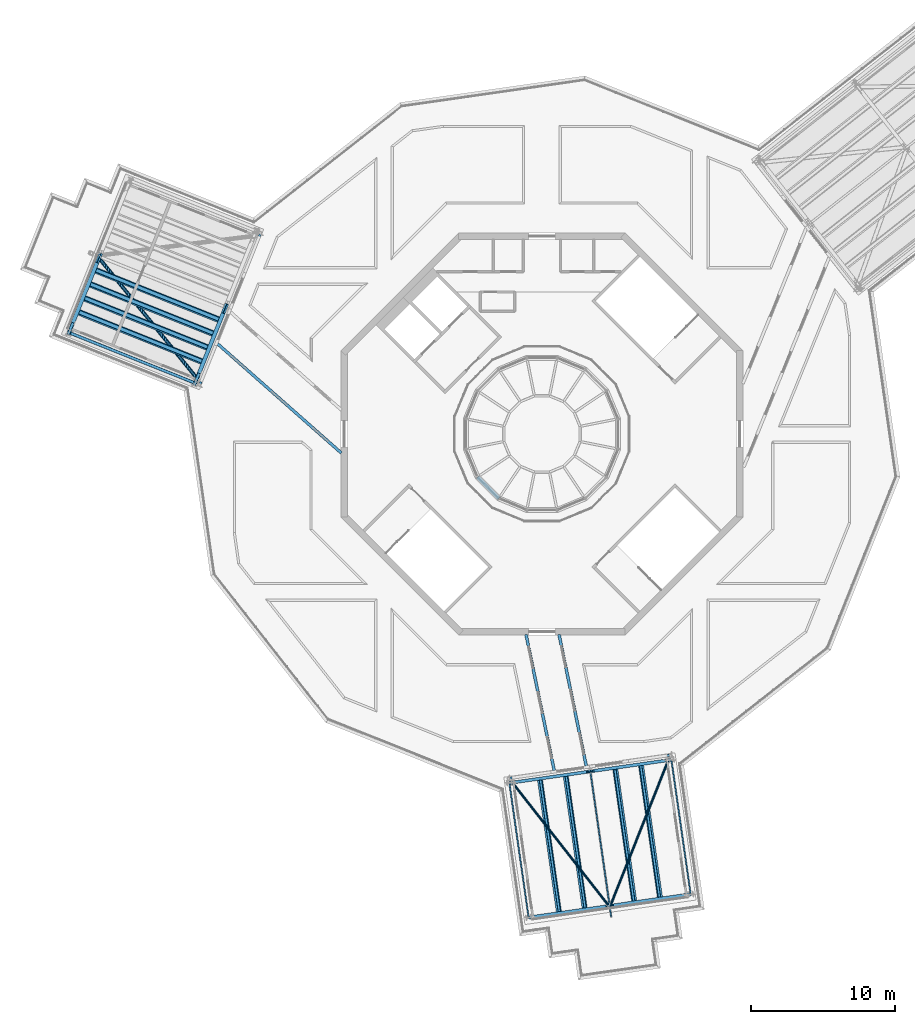
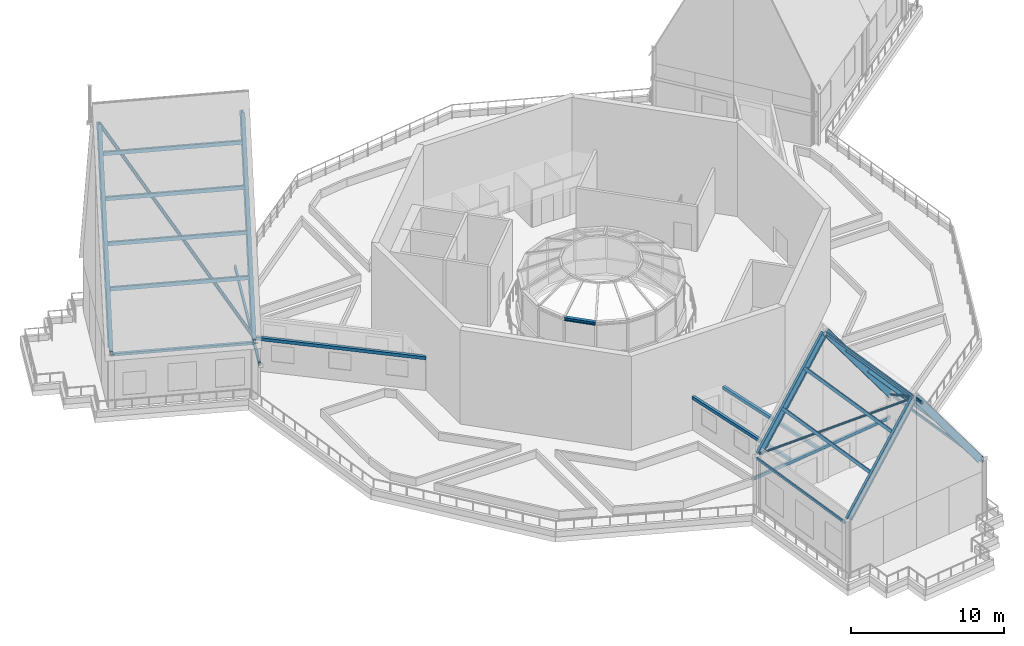
# One storey, part 4 of 32: 23 beams, 6 members, 1 element without a shape of its own.
"""IFC4 building model written with IfcOpenShell, lengths in metres."""

from ifc_helpers import new_model, si_unit, direction, frame, origin, origin_2d, place, context, subcontext, project, spatial, rectangle, hollow_rectangle, hollow_circle, i_section, extrude, material, layer, layer_set, material_profile, profile_set, type_object, element, aggregate, save


model = new_model("IFC4")

# Units and contexts
model_context = context("Model", 3, precision=1e-05, world=origin(), true_north=direction((0.0, 1.0)))
body_context = subcontext(model_context, "Body", "Model", "MODEL_VIEW")
ifc_project = project(units=[si_unit("LENGTHUNIT", "METRE"), si_unit("AREAUNIT", "SQUARE_METRE"), si_unit("VOLUMEUNIT", "CUBIC_METRE"), si_unit("PLANEANGLEUNIT", "RADIAN"), si_unit("MASSUNIT", "GRAM", prefix="KILO")], contexts=[model_context])

# Site, building, storey
site_placement = place(None, origin())
site = spatial("IfcSite", under=ifc_project, at=site_placement, CompositionType="ELEMENT")
building_placement = place(site_placement, origin())
building = spatial("IfcBuilding", under=site, at=building_placement, Name="Verdalira Terraces Hotel", CompositionType="ELEMENT")
storey_placement = place(building_placement, frame((0.0, 0.0, 315.0)))
storey = spatial("IfcBuildingStorey", under=building, at=storey_placement, Name="L78", CompositionType="ELEMENT", Elevation=315.0)

# Beams
ifc_material_1 = material(Name="Steel ASTM A500 Grade C", Category="steel")
ifc_material_profile_1 = material_profile(ifc_material_1, hollow_rectangle(XDim=0.1015625, YDim=0.203125, WallThickness=0.005859375, InnerFilletRadius=0.0029296875, OuterFilletRadius=0.0087890625, at=origin_2d()), Name="HSS8X4X1/4")
ifc_profile_set_1 = profile_set([ifc_material_profile_1], Name="Steel ASTM A500 Grade C")
beam_type_1 = type_object("IfcBeamType", Name="Gable eave beam HSS8X4X1/4", PredefinedType="BEAM", material=ifc_profile_set_1)
for number, where, z_axis, x_axis, name in (
    (1, (9.011719, -22.689697, 4.398438), (0.14193074, -0.989876591, 0.0), (0.989876591, 0.14193074, 0.0), "Gable eave beam G2-1a"),
    (2, (-2.272705, -24.307861, 4.398438), (0.14193074, -0.989876591, 0.0), (0.989876591, 0.14193074, 0.0), "Gable eave beam G2-1b"),
):
    element("IfcBeam", number, at=place(storey_placement, frame(where, z_axis=z_axis, x_axis=x_axis)), inside=storey, type_object=beam_type_1, Name=name, PredefinedType="BEAM", context=body_context, shape_type="SweptSolid", body=[
        extrude(hollow_rectangle(XDim=0.1015625, YDim=0.203125, WallThickness=0.005859375, InnerFilletRadius=0.0029296875, OuterFilletRadius=0.0087890625, at=origin_2d()), origin(), (0.0, 0.0, 1.0), 9.460693),
    ])
ifc_material_2 = material(Name="Steel ASTM A500 Grade C", Category="steel")
ifc_material_profile_2 = material_profile(ifc_material_2, hollow_rectangle(XDim=0.203125, YDim=0.203125, WallThickness=0.0087890625, InnerFilletRadius=0.00439453125, OuterFilletRadius=0.01318359375, at=origin_2d()), Name="HSS8X8X3/8")
ifc_profile_set_2 = profile_set([ifc_material_profile_2], Name="Steel ASTM A500 Grade C")
beam_type_2 = type_object("IfcBeamType", Name="Gable eave beam HSS8X8X3/8", PredefinedType="BEAM", material=ifc_profile_set_2)
beam_1_placement = place(storey_placement, frame((-24.156006, 3.540527, 4.398438), z_axis=(-0.928223753, 0.372022398, 0.0), x_axis=(-0.372022398, -0.928223753, 0.0)))
element("IfcBeam", 3, at=beam_1_placement, inside=storey, type_object=beam_type_2, Name="Gable eave beam G1-1a", PredefinedType="BEAM", context=body_context, shape_type="SweptSolid", body=[
    extrude(hollow_rectangle(XDim=0.203125, YDim=0.203125, WallThickness=0.0087890625, InnerFilletRadius=0.00439453125, OuterFilletRadius=0.01318359375, at=origin_2d()), origin(), (0.0, 0.0, 1.0), 9.460449),
])
ifc_material_3 = material(Name="Steel ASTM A500 Grade C", Category="steel")
ifc_material_profile_3 = material_profile(ifc_material_3, hollow_rectangle(XDim=0.15234375, YDim=0.25390625, WallThickness=0.0087890625, InnerFilletRadius=0.00439453125, OuterFilletRadius=0.01318359375, at=origin_2d()), Name="HSS10X6X3/8")
ifc_profile_set_3 = profile_set([ifc_material_profile_3], Name="Steel ASTM A500 Grade C")
beam_type_3 = type_object("IfcBeamType", Name="Gable end lintel beam HSS10X6X3/8", PredefinedType="BEAM", material=ifc_profile_set_3)
for number, where, z_axis, x_axis, name in (
    (4, (-19.608887, 13.949951, 2.583008), (-0.372008536, -0.928229308, 0.0), (0.928229308, -0.372008536, 0.0), "Gable end lintel beam G1"),
    (5, (-2.274414, -23.970703, 2.583008), (0.989872484, 0.141959378, 0.0), (-0.141959378, 0.989872484, 0.0), "Gable end lintel beam G2"),
):
    element("IfcBeam", number, at=place(storey_placement, frame(where, z_axis=z_axis, x_axis=x_axis)), inside=storey, type_object=beam_type_3, Name=name, PredefinedType="BEAM", context=body_context, shape_type="SweptSolid", body=[
        extrude(hollow_rectangle(XDim=0.15234375, YDim=0.25390625, WallThickness=0.0087890625, InnerFilletRadius=0.00439453125, OuterFilletRadius=0.01318359375, at=origin_2d()), origin(), (0.0, 0.0, 1.0), 11.307617),
    ])

# Members
ifc_material_4 = material(Name="Steel ASTM A500 Grade C", Category="steel")
ifc_material_profile_4 = material_profile(ifc_material_4, hollow_circle(Radius=0.126953125, WallThickness=0.0087890625, at=origin_2d()), Name="HSS10.000X0.375")
ifc_profile_set_4 = profile_set([ifc_material_profile_4], Name="Steel ASTM A500 Grade C")
member_type_1 = type_object("IfcMemberType", Name="Gable frame brace HSS10.000X0.375", PredefinedType="BRACE", material=ifc_profile_set_4)
member_1_placement = place(storey_placement, frame((-24.023682, 3.870605, 4.614502), z_axis=(-0.379555283, 0.465935614, 0.799275792), x_axis=(-0.775313171, -0.631576984, 0.0)))
element("IfcMember", 6, at=member_1_placement, inside=storey, type_object=member_type_1, Name="Gable frame brace G1-1a", PredefinedType="BRACE", context=body_context, shape_type="SweptSolid", body=[
    extrude(hollow_circle(Radius=0.126953125, WallThickness=0.0087890625, at=origin_2d()), origin(), (0.0, 0.0, 1.0), 17.998047),
])
ifc_material_5 = material(Name="Steel ASTM A500 Grade C", Category="steel")
ifc_material_profile_5 = material_profile(ifc_material_5, hollow_circle(Radius=0.084228515625, WallThickness=0.006591796875, at=origin_2d()), Name="HSS6.625X0.280")
ifc_profile_set_5 = profile_set([ifc_material_profile_5], Name="Steel ASTM A500 Grade C")
member_type_2 = type_object("IfcMemberType", Name="Gable frame brace HSS6.625X0.280", PredefinedType="BRACE", material=ifc_profile_set_5)
for number, where, z_axis, x_axis, name in (
    (7, (8.799316, -22.720215, 4.643555), (-0.306757051, -0.770306399, 0.559042184), (0.929043502, -0.369970502, 0.0), "Gable frame brace G2-1a"),
    (8, (-2.060547, -24.277588, 4.643555), (0.510878288, -0.653050728, 0.559042147), (0.787624921, 0.616155, 0.0), "Gable frame brace G2-1b"),
):
    element("IfcMember", number, at=place(storey_placement, frame(where, z_axis=z_axis, x_axis=x_axis)), inside=storey, type_object=member_type_2, Name=name, PredefinedType="BRACE", context=body_context, shape_type="SweptSolid", body=[
        extrude(hollow_circle(Radius=0.084228515625, WallThickness=0.006591796875, at=origin_2d()), origin(), (0.0, 0.0, 1.0), 13.158936),
    ])

# Beams
ifc_material_6 = material(Name="Steel ASTM A992 Grade 50", Category="steel")
ifc_material_profile_6 = material_profile(ifc_material_6, i_section(OverallWidth=0.209229, OverallDepth=0.533447, WebThickness=0.010254, FlangeThickness=0.015625, FilletRadius=0.012939, at=origin_2d()), Name="W21X62")
ifc_profile_set_6 = profile_set([ifc_material_profile_6], Name="Steel ASTM A992 Grade 50")
beam_type_4 = type_object("IfcBeamType", Name="Gable frame rafter W21X62", PredefinedType="BEAM", material=ifc_profile_set_6)
beam_2_placement = place(storey_placement, frame((8.799316, -22.720215, 4.643555), z_axis=(-0.588165419, -0.08435158, 0.80432969), x_axis=(0.141962229, -0.989872075, 0.0)))
element("IfcBeam", 9, at=beam_2_placement, inside=storey, type_object=beam_type_4, Name="Gable frame rafter G2-1a", PredefinedType="BEAM", context=body_context, shape_type="SweptSolid", body=[
    extrude(i_section(OverallWidth=0.209229, OverallDepth=0.533447, WebThickness=0.010254, FlangeThickness=0.015625, FilletRadius=0.012939, at=origin_2d()), origin(), (0.0, 0.0, 1.0), 9.145996),
])
for number, where, z_axis, x_axis, name in (
    (10, (-2.060547, -24.277588, 4.643555), (0.588182878, 0.084350256, 0.804317062), (-0.141955916, 0.989872981, 0.0), "Gable frame rafter G2-1b"),
    (11, (10.142334, -32.085205, 4.643555), (-0.588182878, -0.084350256, 0.804317062), (0.141955916, -0.989872981, 0.0), "Gable frame rafter G2-2a"),
    (12, (-0.717529, -33.642578, 4.643555), (0.588182878, 0.084350256, 0.804317062), (-0.141955916, 0.989872981, 0.0), "Gable frame rafter G2-2b"),
):
    element("IfcBeam", number, at=place(storey_placement, frame(where, z_axis=z_axis, x_axis=x_axis)), inside=storey, type_object=beam_type_4, Name=name, PredefinedType="BEAM", context=body_context, shape_type="SweptSolid", body=[
        extrude(i_section(OverallWidth=0.209229, OverallDepth=0.533447, WebThickness=0.010254, FlangeThickness=0.015625, FilletRadius=0.012939, at=origin_2d()), origin(), (0.0, 0.0, 1.0), 9.14624),
    ])
ifc_material_7 = material(Name="Steel ASTM A992 Grade 50", Category="steel")
ifc_material_profile_7 = material_profile(ifc_material_7, i_section(OverallWidth=0.266602, OverallDepth=0.756836, WebThickness=0.013916, FlangeThickness=0.019287, FilletRadius=0.016602, at=origin_2d()), Name="W30X108")
ifc_profile_set_7 = profile_set([ifc_material_profile_7], Name="Steel ASTM A992 Grade 50")
beam_type_5 = type_object("IfcBeamType", Name="Gable frame rafter W30X108", PredefinedType="BEAM", material=ifc_profile_set_7)
for number, where, z_axis, x_axis, name in (
    (13, (-24.023682, 3.870605, 4.614502), (0.127387456, 0.317838798, 0.939548261), (-0.928222764, 0.372024866, 0.0), "Gable frame rafter G1-1a"),
    (14, (-32.80542, 7.390137, 4.614502), (0.127387456, 0.317838798, 0.939548261), (-0.928222764, 0.372024866, 0.0), "Gable frame rafter G1-2a"),
):
    element("IfcBeam", number, at=place(storey_placement, frame(where, z_axis=z_axis, x_axis=x_axis)), inside=storey, type_object=beam_type_5, Name=name, PredefinedType="BEAM", context=body_context, shape_type="SweptSolid", body=[
        extrude(i_section(OverallWidth=0.266602, OverallDepth=0.756836, WebThickness=0.013916, FlangeThickness=0.019287, FilletRadius=0.016602, at=origin_2d()), origin(), (0.0, 0.0, 1.0), 15.311035),
    ])

# Members
ifc_material_8 = material(Name="Steel ASTM A500 Grade C", Category="steel")
ifc_material_profile_8 = material_profile(ifc_material_8, hollow_rectangle(XDim=0.203125, YDim=0.203125, WallThickness=0.0087890625, InnerFilletRadius=0.00439453125, OuterFilletRadius=0.01318359375, at=origin_2d()), Name="HSS8X8X3/8")
ifc_profile_set_8 = profile_set([ifc_material_profile_8], Name="Steel ASTM A500 Grade C")
member_type_3 = type_object("IfcMemberType", Name="Gable heel seat member HSS8X8X3/8", PredefinedType="STRUT", material=ifc_profile_set_8)
member_2_placement = place(storey_placement, frame((-23.880127, 4.228516, 4.601562), z_axis=(-0.371957299, -0.928249841, 0.0), x_axis=(0.928249841, -0.371957299, 0.0)))
element("IfcMember", 15, at=member_2_placement, inside=storey, type_object=member_type_3, Name="Gable heel seat member G11a", PredefinedType="STRUT", context=body_context, shape_type="SweptSolid", body=[
    extrude(hollow_rectangle(XDim=0.203125, YDim=0.203125, WallThickness=0.0087890625, InnerFilletRadius=0.00439453125, OuterFilletRadius=0.01318359375, at=origin_2d()), origin(), (0.0, 0.0, 1.0), 0.891357),
])
member_3_placement = place(storey_placement, frame((-32.661865, 7.748047, 4.601562), z_axis=(-0.37205189, -0.928211932, 0.0), x_axis=(0.928211932, -0.37205189, 0.0)))
element("IfcMember", 16, at=member_3_placement, inside=storey, type_object=member_type_3, Name="Gable heel seat member G12a", PredefinedType="STRUT", context=body_context, shape_type="SweptSolid", body=[
    extrude(hollow_rectangle(XDim=0.203125, YDim=0.203125, WallThickness=0.0087890625, InnerFilletRadius=0.00439453125, OuterFilletRadius=0.01318359375, at=origin_2d()), origin(), (0.0, 0.0, 1.0), 0.891113),
])

# Beams
ifc_material_9 = material(Name="Steel ASTM A992 Grade 50", Category="steel")
ifc_material_profile_9 = material_profile(ifc_material_9, i_section(OverallWidth=0.203369, OverallDepth=0.302246, WebThickness=0.007568, FlangeThickness=0.013184, FilletRadius=0.012939, at=origin_2d()), Name="W12X40")
ifc_profile_set_9 = profile_set([ifc_material_profile_9], Name="Steel ASTM A992 Grade 50")
beam_type_6 = type_object("IfcBeamType", Name="Gable purlin W12X40", PredefinedType="BEAM", material=ifc_profile_set_9)
for number, where, z_axis, x_axis, name in (
    (17, (6.900879, -23.098389, 7.45459), (0.141923798, -0.989877586, 0.0), (0.588182164, 0.084330677, -0.804319637), "Gable purlin G2-1a1"),
    (18, (5.107422, -23.355469, 9.906982), (0.141949656, -0.989873878, 0.0), (0.588179961, 0.084346041, -0.804319637), "Gable purlin G2-1a2"),
    (19, (-0.13208, -24.106689, 7.45459), (0.141949656, -0.989873878, 0.0), (0.588179961, 0.084346041, 0.804319637), "Gable purlin G2-1b1"),
    (20, (1.661133, -23.849609, 9.906982), (0.141949656, -0.989873878, 0.0), (0.588179961, 0.084346041, 0.804319637), "Gable purlin G2-1b2"),
):
    element("IfcBeam", number, at=place(storey_placement, frame(where, z_axis=z_axis, x_axis=x_axis)), inside=storey, type_object=beam_type_6, Name=name, PredefinedType="BEAM", context=body_context, shape_type="SweptSolid", body=[
        extrude(i_section(OverallWidth=0.203369, OverallDepth=0.302246, WebThickness=0.007568, FlangeThickness=0.013184, FilletRadius=0.012939, at=origin_2d()), origin(), (0.0, 0.0, 1.0), 9.251465),
    ])
ifc_material_10 = material(Name="Steel ASTM A992 Grade 50", Category="steel")
ifc_material_profile_10 = material_profile(ifc_material_10, i_section(OverallWidth=0.253906, OverallDepth=0.353027, WebThickness=0.009521, FlangeThickness=0.016357, FilletRadius=0.015137, at=origin_2d()), Name="W14X61")
ifc_profile_set_10 = profile_set([ifc_material_profile_10], Name="Steel ASTM A992 Grade 50")
beam_type_7 = type_object("IfcBeamType", Name="Gable purlin W14X61", PredefinedType="BEAM", material=ifc_profile_set_10)
for number, where, z_axis, x_axis, name in (
    (21, (-23.695557, 5.047363, 8.536621), (-0.928223755, 0.372022394, 0.0), (-0.127388626, -0.317844169, -0.939546285), "Gable purlin G1-1a1"),
    (22, (-23.30542, 6.020752, 11.413574), (-0.928223755, 0.372022394, 0.0), (-0.127388626, -0.317844169, -0.939546285), "Gable purlin G1-1a2"),
):
    element("IfcBeam", number, at=place(storey_placement, frame(where, z_axis=z_axis, x_axis=x_axis)), inside=storey, type_object=beam_type_7, Name=name, PredefinedType="BEAM", context=body_context, shape_type="SweptSolid", body=[
        extrude(i_section(OverallWidth=0.253906, OverallDepth=0.353027, WebThickness=0.009521, FlangeThickness=0.016357, FilletRadius=0.015137, at=origin_2d()), origin(), (0.0, 0.0, 1.0), 9.194092),
    ])
beam_3_placement = place(storey_placement, frame((-22.915283, 6.993896, 14.290527), z_axis=(-0.928227429, 0.372013224, 0.0), x_axis=(-0.127385486, -0.317845428, -0.939546285)))
element("IfcBeam", 23, at=beam_3_placement, inside=storey, type_object=beam_type_7, Name="Gable purlin G1-1a3", PredefinedType="BEAM", context=body_context, shape_type="SweptSolid", body=[
    extrude(i_section(OverallWidth=0.253906, OverallDepth=0.353027, WebThickness=0.009521, FlangeThickness=0.016357, FilletRadius=0.015137, at=origin_2d()), origin(), (0.0, 0.0, 1.0), 9.194336),
])
beam_4_placement = place(storey_placement, frame((-22.525391, 7.967285, 17.167725), z_axis=(-0.928223755, 0.372022394, 0.0), x_axis=(-0.127388626, -0.317844169, -0.939546285)))
element("IfcBeam", 24, at=beam_4_placement, inside=storey, type_object=beam_type_7, Name="Gable purlin G1-1a4", PredefinedType="BEAM", context=body_context, shape_type="SweptSolid", body=[
    extrude(i_section(OverallWidth=0.253906, OverallDepth=0.353027, WebThickness=0.009521, FlangeThickness=0.016357, FilletRadius=0.015137, at=origin_2d()), origin(), (0.0, 0.0, 1.0), 9.194092),
])
ifc_material_11 = material(Name="Steel ASTM A500 Grade C", Category="steel")
ifc_material_profile_11 = material_profile(ifc_material_11, hollow_rectangle(XDim=0.1015625, YDim=0.203125, WallThickness=0.005859375, InnerFilletRadius=0.0029296875, OuterFilletRadius=0.0087890625, at=origin_2d()), Name="HSS8X4X1/4")
ifc_profile_set_11 = profile_set([ifc_material_profile_11], Name="Steel ASTM A500 Grade C")
beam_type_8 = type_object("IfcBeamType", Name="Gable ridge beam HSS8X4X1/4", PredefinedType="BEAM", material=ifc_profile_set_11)
beam_5_placement = place(storey_placement, frame((3.369385, -23.498779, 12.0), z_axis=(0.1419516, -0.9898736, 0.0), x_axis=(0.9898736, 0.1419516, 0.0)))
element("IfcBeam", 25, at=beam_5_placement, inside=storey, type_object=beam_type_8, Name="Gable ridge beam G2-1", PredefinedType="BEAM", context=body_context, shape_type="SweptSolid", body=[
    extrude(hollow_rectangle(XDim=0.1015625, YDim=0.203125, WallThickness=0.005859375, InnerFilletRadius=0.0029296875, OuterFilletRadius=0.0087890625, at=origin_2d()), origin(), (0.0, 0.0, 1.0), 10.248779),
])
ifc_material_12 = material(Name="Concrete C40", Category="concrete")
ifc_material_profile_12 = material_profile(ifc_material_12, rectangle(XDim=0.199951, YDim=0.25, at=origin_2d()), Name="RC 200X250")
ifc_profile_set_12 = profile_set([ifc_material_profile_12], Name="Concrete C40")
beam_type_9 = type_object("IfcBeamType", Name="Garden link roof beam RC 200X250 Concrete C40", PredefinedType="BEAM", material=ifc_profile_set_12)
beam_6_placement = place(storey_placement, frame((-13.977539, -1.321777, 2.584961), z_axis=(-0.749741803, 0.661730481, 0.0), x_axis=(-0.661730481, -0.749741803, 0.0)))
element("IfcBeam", 26, at=beam_6_placement, inside=storey, type_object=beam_type_9, Name="Garden link roof beam K1-1", PredefinedType="BEAM", context=body_context, shape_type="SweptSolid", body=[
    extrude(rectangle(XDim=0.199951, YDim=0.25, at=origin_2d()), origin(), (0.0, 0.0, 1.0), 11.498047),
])
beam_7_placement = place(storey_placement, frame((1.189453, -13.970703, 2.584961), z_axis=(0.202861208, -0.979207501, 0.0), x_axis=(0.979207501, 0.202861208, 0.0)))
element("IfcBeam", 27, at=beam_7_placement, inside=storey, type_object=beam_type_9, Name="Garden link roof beam K2-1", PredefinedType="BEAM", context=body_context, shape_type="SweptSolid", body=[
    extrude(rectangle(XDim=0.199951, YDim=0.25, at=origin_2d()), origin(), (0.0, 0.0, 1.0), 9.348633),
])
beam_8_placement = place(storey_placement, frame((-1.108398, -13.970703, 2.584961), z_axis=(0.202870928, -0.979205487, 0.0), x_axis=(0.979205487, 0.202870928, 0.0)))
element("IfcBeam", 28, at=beam_8_placement, inside=storey, type_object=beam_type_9, Name="Garden link roof beam K2-2", PredefinedType="BEAM", context=body_context, shape_type="SweptSolid", body=[
    extrude(rectangle(XDim=0.199951, YDim=0.25, at=origin_2d()), origin(), (0.0, 0.0, 1.0), 9.675537),
])

# Curtain wall, member
ifc_material_13 = material(Name="Clear laminated glass", Category="glass")
ifc_layer = layer(ifc_material_13, 0.14990234375)
ifc_layer_set = layer_set([ifc_layer], Name="Atrium lantern curtain wall")
curtain_wall_type = type_object("IfcCurtainWallType", Name="Atrium lantern curtain wall", PredefinedType="NOTDEFINED", material=ifc_layer_set)
curtain_wall_placement = place(storey_placement, origin())
curtain_wall = element("IfcCurtainWall", 29, at=curtain_wall_placement, inside=storey, type_object=curtain_wall_type, Name="Atrium lantern curtain wall facet 10", PredefinedType="NOTDEFINED")
ifc_material_14 = material(Name="Steel ASTM A992 Grade 50", Category="steel")
ifc_material_profile_13 = material_profile(ifc_material_14, i_section(OverallWidth=0.253906, OverallDepth=0.253906, WebThickness=0.008545, FlangeThickness=0.01416, FilletRadius=0.012695, at=origin_2d()), Name="W10X49")
ifc_profile_set_13 = profile_set([ifc_material_profile_13], Name="Steel ASTM A992 Grade 50")
member_type_4 = type_object("IfcMemberType", Name="Lantern head transom W10X49", PredefinedType="USERDEFINED", material=ifc_profile_set_13)
member_4_placement = place(storey_placement, frame((-4.48999, -3.0, 3.427002), z_axis=(0.707106781, -0.707106781, 0.0), x_axis=(0.707106781, 0.707106781, 0.0)))
member_4 = element("IfcMember", 30, at=member_4_placement, type_object=member_type_4, Name="Lantern head transom LR10", ObjectType="TRANSOM", PredefinedType="USERDEFINED", context=body_context, shape_type="SweptSolid", body=[
    extrude(i_section(OverallWidth=0.253906, OverallDepth=0.253906, WebThickness=0.008545, FlangeThickness=0.01416, FilletRadius=0.012695, at=origin_2d()), origin(), (0.0, 0.0, 1.0), 2.107178),
])
aggregate(curtain_wall, [member_4])

save(model, "model.ifc")
